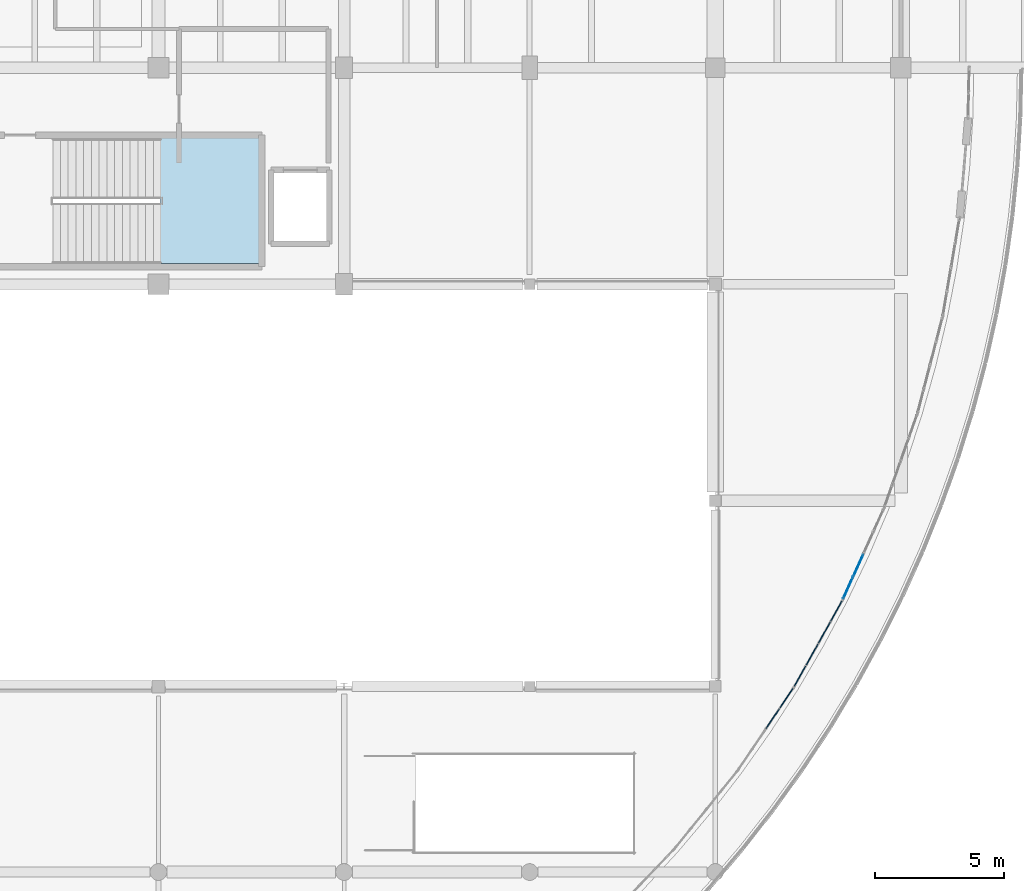
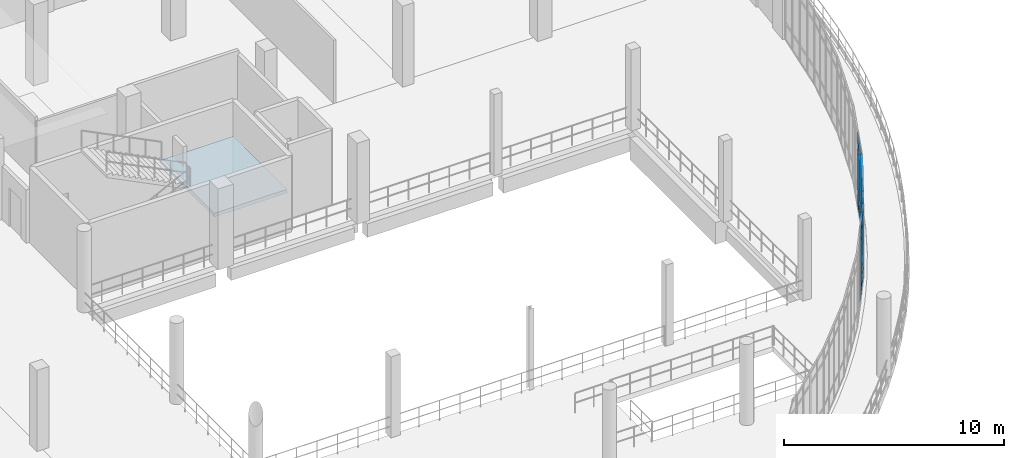
# One storey, part 94 of 116: 24 plates, 1 slab, 4 elements without a shape of their own.
"""IFC4 building model written with IfcOpenShell, lengths in metres."""

from ifc_helpers import new_model, si_unit, direction, frame, origin, origin_2d, place, context, subcontext, project, spatial, polyline, rectangle, outline, extrude, material, layer, layer_set, type_object, element, aggregate, save


model = new_model("IFC4")

# Units and contexts
model_context = context("Model", 3, precision=1e-05, world=origin(), true_north=direction((0.0, 1.0)))
body_context = subcontext(model_context, "Body", "Model", "MODEL_VIEW")
ifc_project = project(units=[si_unit("LENGTHUNIT", "METRE"), si_unit("AREAUNIT", "SQUARE_METRE"), si_unit("VOLUMEUNIT", "CUBIC_METRE"), si_unit("PLANEANGLEUNIT", "RADIAN"), si_unit("MASSUNIT", "GRAM", prefix="KILO")], contexts=[model_context])

# Site, building, storey
site_placement = place(None, origin())
site = spatial("IfcSite", under=ifc_project, at=site_placement, CompositionType="ELEMENT")
building_placement = place(site_placement, origin())
building = spatial("IfcBuilding", under=site, at=building_placement, Name="Kalluvel Institute of Natural Sciences", CompositionType="ELEMENT")
storey_placement = place(building_placement, frame((0.0, 0.0, 14.39990234375)))
storey = spatial("IfcBuildingStorey", under=building, at=storey_placement, Name="L03", CompositionType="ELEMENT", Elevation=14.39990234375)

# Curtain wall, plates
ifc_material_1 = material(Name="Aluminium AW-6063 T6", Category="aluminium")
curtain_wall_type = type_object("IfcCurtainWallType", Name="CW-ATR-ARC", PredefinedType="USERDEFINED", material=ifc_material_1)
curtain_wall_1_placement = place(storey_placement, origin())
curtain_wall_1 = element("IfcCurtainWall", 1, at=curtain_wall_1_placement, inside=storey, type_object=curtain_wall_type, Name="L03 Gothic lancet curtain wall CWA-L03-X725-Y755", ObjectType="UNITISED LANCET FACADE", PredefinedType="USERDEFINED")
ifc_material_2 = material(Name="Solar-Control Low-E Laminated Glass", Category="glass")
ifc_layer_1 = layer(ifc_material_2, 0.035888671875)
ifc_layer_set_1 = layer_set([ifc_layer_1], Name="Solar-Control Low-E Laminated Glass")
plate_type = type_object("IfcPlateType", Name="CWP-DGU-36", PredefinedType="CURTAIN_PANEL", material=ifc_layer_set_1)
plate_1_placement = place(storey_placement, frame((73.825439453125, 77.55126953125, 0.06005859375), z_axis=(0.0, 0.0, 1.0), x_axis=(0.559972312005, 0.82851132146, 0.0)))
plate_1 = element("IfcPlate", 2, at=plate_1_placement, type_object=plate_type, Name="CW-05 panel 3.1", PredefinedType="CURTAIN_PANEL", context=body_context, shape_type="SweptSolid", body=[
    extrude(rectangle(XDim=0.912841796875, YDim=0.035888671875, at=origin_2d()), origin(), (0.0, 0.0, 1.0), 0.860107421875),
])
plate_2_placement = place(storey_placement, frame((73.825439453125, 77.55126953125, 0.97998046875), z_axis=(0.0, 0.0, 1.0), x_axis=(0.559972312005, 0.82851132146, 0.0)))
plate_2 = element("IfcPlate", 3, at=plate_2_placement, type_object=plate_type, Name="CW-05 panel 3.2", PredefinedType="CURTAIN_PANEL", context=body_context, shape_type="SweptSolid", body=[
    extrude(rectangle(XDim=0.912841796875, YDim=0.035888671875, at=origin_2d()), origin(), (0.0, 0.0, 1.0), 2.489990234375),
])
plate_3_placement = place(storey_placement, frame((73.825439453125, 77.55126953125, 3.530029296875), z_axis=(0.0, 0.0, 1.0), x_axis=(0.559972312005, 0.82851132146, 0.0)))
plate_3 = element("IfcPlate", 4, at=plate_3_placement, type_object=plate_type, Name="CW-05 panel 3.3", PredefinedType="CURTAIN_PANEL", context=body_context, shape_type="SweptSolid", body=[
    extrude(rectangle(XDim=0.912841796875, YDim=0.035888671875, at=origin_2d()), origin(), (0.0, 0.0, 1.0), 0.56005859375),
])
plate_4_placement = place(storey_placement, frame((74.36181640625, 78.344970703125, 0.06005859375), z_axis=(0.0, 0.0, 1.0), x_axis=(0.559972312005, 0.82851132146, 0.0)))
plate_4 = element("IfcPlate", 5, at=plate_4_placement, type_object=plate_type, Name="CW-05 panel 4.1", PredefinedType="CURTAIN_PANEL", context=body_context, shape_type="SweptSolid", body=[
    extrude(rectangle(XDim=0.883056640625, YDim=0.035888671875, at=origin_2d()), origin(), (0.0, 0.0, 1.0), 0.860107421875),
])
plate_5_placement = place(storey_placement, frame((74.36181640625, 78.344970703125, 0.97998046875), z_axis=(0.0, 0.0, 1.0), x_axis=(0.559972312005, 0.82851132146, 0.0)))
plate_5 = element("IfcPlate", 6, at=plate_5_placement, type_object=plate_type, Name="CW-05 panel 4.2", PredefinedType="CURTAIN_PANEL", context=body_context, shape_type="SweptSolid", body=[
    extrude(rectangle(XDim=0.883056640625, YDim=0.035888671875, at=origin_2d()), origin(), (0.0, 0.0, 1.0), 2.489990234375),
])
plate_6_placement = place(storey_placement, frame((74.36181640625, 78.344970703125, 3.530029296875), z_axis=(0.0, 0.0, 1.0), x_axis=(0.559972312005, 0.82851132146, 0.0)))
plate_6 = element("IfcPlate", 7, at=plate_6_placement, type_object=plate_type, Name="CW-05 panel 4.3", PredefinedType="CURTAIN_PANEL", context=body_context, shape_type="SweptSolid", body=[
    extrude(rectangle(XDim=0.883056640625, YDim=0.035888671875, at=origin_2d()), origin(), (0.0, 0.0, 1.0), 0.56005859375),
])
aggregate(curtain_wall_1, [plate_1, plate_2, plate_3, plate_4, plate_5, plate_6])

curtain_wall_2_placement = place(storey_placement, origin())
curtain_wall_2 = element("IfcCurtainWall", 8, at=curtain_wall_2_placement, inside=storey, type_object=curtain_wall_type, Name="L03 Gothic lancet curtain wall CWA-L03-X746-Y788", ObjectType="UNITISED LANCET FACADE", PredefinedType="USERDEFINED")
plate_7_placement = place(storey_placement, frame((74.88720703125, 79.1982421875, 0.06005859375), z_axis=(0.0, 0.0, 1.0), x_axis=(0.487700995253, 0.873010732597, 0.0)))
plate_7 = element("IfcPlate", 9, at=plate_7_placement, type_object=plate_type, Name="CW-05 panel 1.1", PredefinedType="CURTAIN_PANEL", context=body_context, shape_type="SweptSolid", body=[
    extrude(rectangle(XDim=0.883056640625, YDim=0.035888671875, at=origin_2d()), origin(), (0.0, 0.0, 1.0), 0.860107421875),
])
plate_8_placement = place(storey_placement, frame((74.88720703125, 79.1982421875, 0.97998046875), z_axis=(0.0, 0.0, 1.0), x_axis=(0.487700995253, 0.873010732597, 0.0)))
plate_8 = element("IfcPlate", 10, at=plate_8_placement, type_object=plate_type, Name="CW-05 panel 1.2", PredefinedType="CURTAIN_PANEL", context=body_context, shape_type="SweptSolid", body=[
    extrude(rectangle(XDim=0.883056640625, YDim=0.035888671875, at=origin_2d()), origin(), (0.0, 0.0, 1.0), 2.489990234375),
])
plate_9_placement = place(storey_placement, frame((74.88720703125, 79.1982421875, 3.530029296875), z_axis=(0.0, 0.0, 1.0), x_axis=(0.487700995253, 0.873010732597, 0.0)))
plate_9 = element("IfcPlate", 11, at=plate_9_placement, type_object=plate_type, Name="CW-05 panel 1.3", PredefinedType="CURTAIN_PANEL", context=body_context, shape_type="SweptSolid", body=[
    extrude(rectangle(XDim=0.883056640625, YDim=0.035888671875, at=origin_2d()), origin(), (0.0, 0.0, 1.0), 0.56005859375),
])
plate_10_placement = place(storey_placement, frame((75.3544921875, 80.03466796875, 0.06005859375), z_axis=(0.0, 0.0, 1.0), x_axis=(0.487700995253, 0.873010732597, 0.0)))
plate_10 = element("IfcPlate", 12, at=plate_10_placement, type_object=plate_type, Name="CW-05 panel 2.1", PredefinedType="CURTAIN_PANEL", context=body_context, shape_type="SweptSolid", body=[
    extrude(rectangle(XDim=0.9130859375, YDim=0.035888671875, at=origin_2d()), origin(), (0.0, 0.0, 1.0), 0.860107421875),
])
plate_11_placement = place(storey_placement, frame((75.3544921875, 80.03466796875, 0.97998046875), z_axis=(0.0, 0.0, 1.0), x_axis=(0.487700995253, 0.873010732597, 0.0)))
plate_11 = element("IfcPlate", 13, at=plate_11_placement, type_object=plate_type, Name="CW-05 panel 2.2", PredefinedType="CURTAIN_PANEL", context=body_context, shape_type="SweptSolid", body=[
    extrude(rectangle(XDim=0.9130859375, YDim=0.035888671875, at=origin_2d()), origin(), (0.0, 0.0, 1.0), 2.489990234375),
])
plate_12_placement = place(storey_placement, frame((75.3544921875, 80.03466796875, 3.530029296875), z_axis=(0.0, 0.0, 1.0), x_axis=(0.487700995253, 0.873010732597, 0.0)))
plate_12 = element("IfcPlate", 14, at=plate_12_placement, type_object=plate_type, Name="CW-05 panel 2.3", PredefinedType="CURTAIN_PANEL", context=body_context, shape_type="SweptSolid", body=[
    extrude(rectangle(XDim=0.9130859375, YDim=0.035888671875, at=origin_2d()), origin(), (0.0, 0.0, 1.0), 0.56005859375),
])
plate_13_placement = place(storey_placement, frame((75.828857421875, 80.884033203125, 0.06005859375), z_axis=(0.0, 0.0, 1.0), x_axis=(0.487700995253, 0.873010732597, 0.0)))
plate_13 = element("IfcPlate", 15, at=plate_13_placement, type_object=plate_type, Name="CW-05 panel 3.1", PredefinedType="CURTAIN_PANEL", context=body_context, shape_type="SweptSolid", body=[
    extrude(rectangle(XDim=0.9130859375, YDim=0.035888671875, at=origin_2d()), origin(), (0.0, 0.0, 1.0), 0.860107421875),
])
plate_14_placement = place(storey_placement, frame((75.828857421875, 80.884033203125, 0.97998046875), z_axis=(0.0, 0.0, 1.0), x_axis=(0.487700995253, 0.873010732597, 0.0)))
plate_14 = element("IfcPlate", 16, at=plate_14_placement, type_object=plate_type, Name="CW-05 panel 3.2", PredefinedType="CURTAIN_PANEL", context=body_context, shape_type="SweptSolid", body=[
    extrude(rectangle(XDim=0.9130859375, YDim=0.035888671875, at=origin_2d()), origin(), (0.0, 0.0, 1.0), 2.489990234375),
])
plate_15_placement = place(storey_placement, frame((75.828857421875, 80.884033203125, 3.530029296875), z_axis=(0.0, 0.0, 1.0), x_axis=(0.487700995253, 0.873010732597, 0.0)))
plate_15 = element("IfcPlate", 17, at=plate_15_placement, type_object=plate_type, Name="CW-05 panel 3.3", PredefinedType="CURTAIN_PANEL", context=body_context, shape_type="SweptSolid", body=[
    extrude(rectangle(XDim=0.9130859375, YDim=0.035888671875, at=origin_2d()), origin(), (0.0, 0.0, 1.0), 0.56005859375),
])
plate_16_placement = place(storey_placement, frame((76.296142578125, 81.720458984375, 0.06005859375), z_axis=(0.0, 0.0, 1.0), x_axis=(0.487700995253, 0.873010732597, 0.0)))
plate_16 = element("IfcPlate", 18, at=plate_16_placement, type_object=plate_type, Name="CW-05 panel 4.1", PredefinedType="CURTAIN_PANEL", context=body_context, shape_type="SweptSolid", body=[
    extrude(rectangle(XDim=0.883056640625, YDim=0.035888671875, at=origin_2d()), origin(), (0.0, 0.0, 1.0), 0.860107421875),
])
plate_17_placement = place(storey_placement, frame((76.296142578125, 81.720458984375, 0.97998046875), z_axis=(0.0, 0.0, 1.0), x_axis=(0.487700995253, 0.873010732597, 0.0)))
plate_17 = element("IfcPlate", 19, at=plate_17_placement, type_object=plate_type, Name="CW-05 panel 4.2", PredefinedType="CURTAIN_PANEL", context=body_context, shape_type="SweptSolid", body=[
    extrude(rectangle(XDim=0.883056640625, YDim=0.035888671875, at=origin_2d()), origin(), (0.0, 0.0, 1.0), 2.489990234375),
])
plate_18_placement = place(storey_placement, frame((76.296142578125, 81.720458984375, 3.530029296875), z_axis=(0.0, 0.0, 1.0), x_axis=(0.487700995253, 0.873010732597, 0.0)))
plate_18 = element("IfcPlate", 20, at=plate_18_placement, type_object=plate_type, Name="CW-05 panel 4.3", PredefinedType="CURTAIN_PANEL", context=body_context, shape_type="SweptSolid", body=[
    extrude(rectangle(XDim=0.883056640625, YDim=0.035888671875, at=origin_2d()), origin(), (0.0, 0.0, 1.0), 0.56005859375),
])
aggregate(curtain_wall_2, [plate_7, plate_8, plate_9, plate_10, plate_11, plate_12, plate_13, plate_14, plate_15, plate_16, plate_17, plate_18])

curtain_wall_3_placement = place(storey_placement, origin())
curtain_wall_3 = element("IfcCurtainWall", 21, at=curtain_wall_3_placement, inside=storey, type_object=curtain_wall_type, Name="L03 Gothic lancet curtain wall CWA-L03-X765-Y822", ObjectType="UNITISED LANCET FACADE", PredefinedType="USERDEFINED")
plate_19_placement = place(storey_placement, frame((76.747314453125, 82.615234375, 0.06005859375), z_axis=(0.0, 0.0, 1.0), x_axis=(0.411895130891, 0.911231255581, 0.0)))
plate_19 = element("IfcPlate", 22, at=plate_19_placement, type_object=plate_type, Name="CW-05 panel 1.1", PredefinedType="CURTAIN_PANEL", context=body_context, shape_type="SweptSolid", body=[
    extrude(rectangle(XDim=0.883056640625, YDim=0.035888671875, at=origin_2d()), origin(), (0.0, 0.0, 1.0), 0.860107421875),
])
plate_20_placement = place(storey_placement, frame((76.747314453125, 82.615234375, 0.97998046875), z_axis=(0.0, 0.0, 1.0), x_axis=(0.411895130891, 0.911231255581, 0.0)))
plate_20 = element("IfcPlate", 23, at=plate_20_placement, type_object=plate_type, Name="CW-05 panel 1.2", PredefinedType="CURTAIN_PANEL", context=body_context, shape_type="SweptSolid", body=[
    extrude(rectangle(XDim=0.883056640625, YDim=0.035888671875, at=origin_2d()), origin(), (0.0, 0.0, 1.0), 2.489990234375),
])
plate_21_placement = place(storey_placement, frame((76.747314453125, 82.615234375, 3.530029296875), z_axis=(0.0, 0.0, 1.0), x_axis=(0.411895130891, 0.911231255581, 0.0)))
plate_21 = element("IfcPlate", 24, at=plate_21_placement, type_object=plate_type, Name="CW-05 panel 1.3", PredefinedType="CURTAIN_PANEL", context=body_context, shape_type="SweptSolid", body=[
    extrude(rectangle(XDim=0.883056640625, YDim=0.035888671875, at=origin_2d()), origin(), (0.0, 0.0, 1.0), 0.56005859375),
])
plate_22_placement = place(storey_placement, frame((77.141845703125, 83.488037109375, 0.06005859375), z_axis=(0.0, 0.0, 1.0), x_axis=(0.411895130891, 0.911231255581, 0.0)))
plate_22 = element("IfcPlate", 25, at=plate_22_placement, type_object=plate_type, Name="CW-05 panel 2.1", PredefinedType="CURTAIN_PANEL", context=body_context, shape_type="SweptSolid", body=[
    extrude(rectangle(XDim=0.912841796875, YDim=0.035888671875, at=origin_2d()), origin(), (0.0, 0.0, 1.0), 0.860107421875),
])
plate_23_placement = place(storey_placement, frame((77.141845703125, 83.488037109375, 0.97998046875), z_axis=(0.0, 0.0, 1.0), x_axis=(0.411895130891, 0.911231255581, 0.0)))
plate_23 = element("IfcPlate", 26, at=plate_23_placement, type_object=plate_type, Name="CW-05 panel 2.2", PredefinedType="CURTAIN_PANEL", context=body_context, shape_type="SweptSolid", body=[
    extrude(rectangle(XDim=0.912841796875, YDim=0.035888671875, at=origin_2d()), origin(), (0.0, 0.0, 1.0), 2.489990234375),
])
plate_24_placement = place(storey_placement, frame((77.141845703125, 83.488037109375, 3.530029296875), z_axis=(0.0, 0.0, 1.0), x_axis=(0.411895130891, 0.911231255581, 0.0)))
plate_24 = element("IfcPlate", 27, at=plate_24_placement, type_object=plate_type, Name="CW-05 panel 2.3", PredefinedType="CURTAIN_PANEL", context=body_context, shape_type="SweptSolid", body=[
    extrude(rectangle(XDim=0.912841796875, YDim=0.035888671875, at=origin_2d()), origin(), (0.0, 0.0, 1.0), 0.56005859375),
])
aggregate(curtain_wall_3, [plate_19, plate_20, plate_21, plate_22, plate_23, plate_24])

# Stair, slab
ifc_material_3 = material(Name="Concrete M40", Category="concrete")
stair_type = type_object("IfcStairType", Name="STR-ST3-45", PredefinedType="HALF_TURN_STAIR", material=ifc_material_3)
stair_placement = place(storey_placement, origin())
stair = element("IfcStair", 28, at=stair_placement, inside=storey, type_object=stair_type, Name="L03 Central Fire-Tower Protected Stair ST3", PredefinedType="HALF_TURN_STAIR")
ifc_layer_2 = layer(ifc_material_3, 0.199951171875)
ifc_layer_set_2 = layer_set([ifc_layer_2], Name="Concrete M40")
slab_type = type_object("IfcSlabType", Name="SLD-ST3", PredefinedType="LANDING", material=ifc_layer_set_2)
slab_placement = place(storey_placement, frame((0.0, 0.0, 2.050048828125)))
slab = element("IfcSlab", 29, at=slab_placement, type_object=slab_type, Name="S3-45 landing 1", PredefinedType="LANDING", context=body_context, shape_type="SweptSolid", body=[
    extrude(outline(polyline([(50.08203125, 95.199951171875), (53.89990234375, 95.199951171875), (53.89990234375, 100.070068359375), (50.08203125, 100.070068359375), (50.08203125, 95.199951171875)])), origin(), (0.0, 0.0, 1.0), 0.199951171875),
])
aggregate(stair, [slab])

save(model, "model.ifc")
